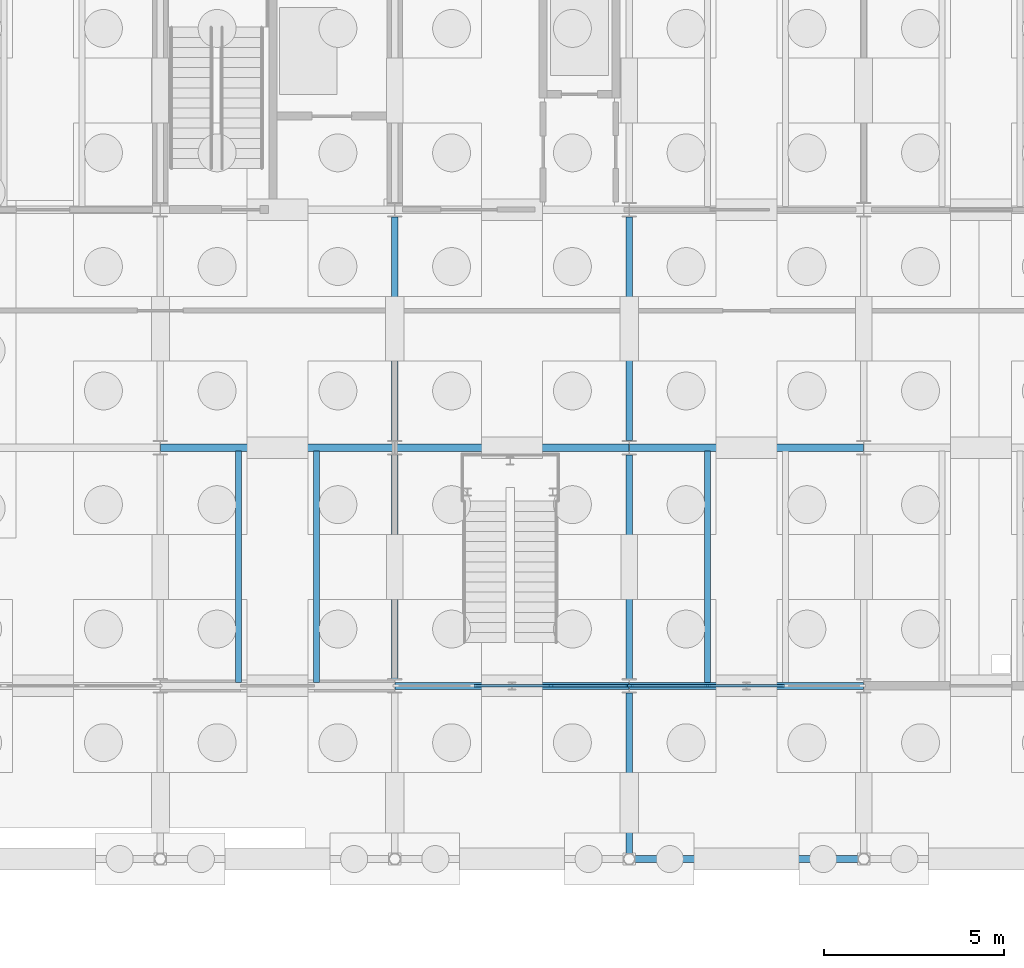
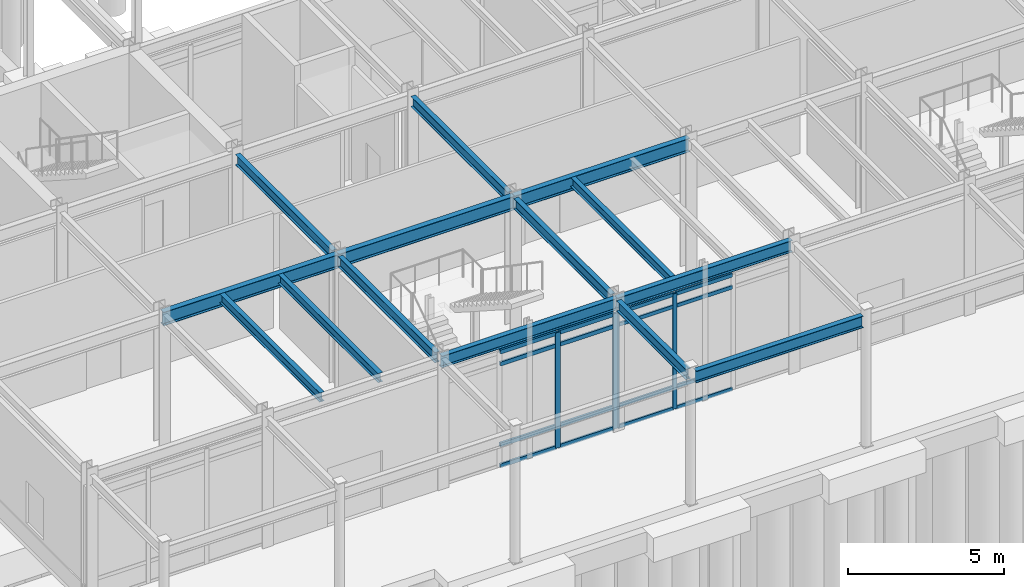
# One storey, part 36 of 82: 20 members, 14 beams, 2 elements without a shape of their own.
"""IFC4 building model written with IfcOpenShell, lengths in metres."""

from ifc_helpers import new_model, si_unit, direction, frame, origin, origin_2d, place, context, subcontext, project, spatial, rectangle, i_section, extrude, material, layer, layer_set, material_profile, profile_set, type_object, element, aggregate, save


model = new_model("IFC4")

# Units and contexts
model_context = context("Model", 3, precision=1e-05, world=origin(), true_north=direction((0.0, 1.0)))
body_context = subcontext(model_context, "Body", "Model", "MODEL_VIEW")
ifc_project = project(units=[si_unit("LENGTHUNIT", "METRE"), si_unit("AREAUNIT", "SQUARE_METRE"), si_unit("VOLUMEUNIT", "CUBIC_METRE"), si_unit("PLANEANGLEUNIT", "RADIAN"), si_unit("MASSUNIT", "GRAM", prefix="KILO")], contexts=[model_context])

# Site, building, storey
site_placement = place(None, origin())
site = spatial("IfcSite", under=ifc_project, at=site_placement, CompositionType="ELEMENT")
building_placement = place(site_placement, origin())
building = spatial("IfcBuilding", under=site, at=building_placement, Name="Trelmorton Wharf Fire Station", CompositionType="ELEMENT")
storey_placement = place(building_placement, origin())
storey = spatial("IfcBuildingStorey", under=building, at=storey_placement, Name="L00", CompositionType="ELEMENT", Elevation=0.0)

# Beams
ifc_material_1 = material(Name="Steel Grade 350", Category="steel")
ifc_material_profile_1 = material_profile(ifc_material_1, i_section(OverallWidth=0.177978515625, OverallDepth=0.406005859375, WebThickness=0.0078125, FlangeThickness=0.0126953125, FilletRadius=0.011474609375, at=origin_2d()), Name="410UB59.7")
ifc_profile_set_1 = profile_set([ifc_material_profile_1], Name="Steel Grade 350")
beam_type_1 = type_object("IfcBeamType", Name="BM_410UB60", PredefinedType="BEAM", material=ifc_profile_set_1)
for number, where, z_axis, x_axis, name in (
    (1, (117.0, 7.99609375, 4.927001953125), (0.0, 1.0, 0.0), (-1.0, 0.0, 0.0), "BM-L00-0330"),
    (2, (117.0, 14.595947265625, 4.927001953125), (0.0, 1.0, 0.0), (-1.0, 0.0, 0.0), "BM-L00-0331"),
):
    element("IfcBeam", number, at=place(storey_placement, frame(where, z_axis=z_axis, x_axis=x_axis)), inside=storey, type_object=beam_type_1, Name=name, PredefinedType="BEAM", context=body_context, shape_type="SweptSolid", body=[
        extrude(i_section(OverallWidth=0.177978515625, OverallDepth=0.406005859375, WebThickness=0.0078125, FlangeThickness=0.0126953125, FilletRadius=0.011474609375, at=origin_2d()), origin(), (0.0, 0.0, 1.0), 6.2080078125),
    ])
beam_1_placement = place(storey_placement, frame((123.5, 3.157958984375, 4.927001953125), z_axis=(0.0, 1.0, 0.0), x_axis=(-1.0, 0.0, 0.0)))
element("IfcBeam", 3, at=beam_1_placement, inside=storey, type_object=beam_type_1, Name="BM-L00-0343", PredefinedType="BEAM", context=body_context, shape_type="SweptSolid", body=[
    extrude(i_section(OverallWidth=0.177978515625, OverallDepth=0.406005859375, WebThickness=0.0078125, FlangeThickness=0.0126953125, FilletRadius=0.011474609375, at=origin_2d()), origin(), (0.0, 0.0, 1.0), 4.446044921875),
])
for number, where, z_axis, x_axis, name in (
    (4, (123.5, 7.99609375, 4.927001953125), (0.0, 1.0, 0.0), (-1.0, 0.0, 0.0), "BM-L00-0344"),
    (5, (123.5, 14.595947265625, 4.927001953125), (0.0, 1.0, 0.0), (-1.0, 0.0, 0.0), "BM-L00-0345"),
):
    element("IfcBeam", number, at=place(storey_placement, frame(where, z_axis=z_axis, x_axis=x_axis)), inside=storey, type_object=beam_type_1, Name=name, PredefinedType="BEAM", context=body_context, shape_type="SweptSolid", body=[
        extrude(i_section(OverallWidth=0.177978515625, OverallDepth=0.406005859375, WebThickness=0.0078125, FlangeThickness=0.0126953125, FilletRadius=0.011474609375, at=origin_2d()), origin(), (0.0, 0.0, 1.0), 6.2080078125),
    ])
ifc_material_profile_2 = material_profile(ifc_material_1, i_section(OverallWidth=0.208984375, OverallDepth=0.532958984375, WebThickness=0.01025390625, FlangeThickness=0.015625, FilletRadius=0.013916015625, at=origin_2d()), Name="530UB92.4")
ifc_profile_set_2 = profile_set([ifc_material_profile_2], Name="Steel Grade 350")
beam_type_2 = type_object("IfcBeamType", Name="BM_530UB92", PredefinedType="BEAM", material=ifc_profile_set_2)
for number, where, z_axis, x_axis, name in (
    (6, (110.508056640625, 14.39990234375, 4.863525390625), (1.0, 0.0, 0.0), (0.0, 1.0, 0.0), "BM-L00-0050"),
    (7, (117.008056640625, 14.39990234375, 4.863525390625), (1.0, 0.0, 0.0), (0.0, 1.0, 0.0), "BM-L00-0051"),
    (8, (123.508056640625, 14.39990234375, 4.863525390625), (1.0, 0.0, 0.0), (0.0, 1.0, 0.0), "BM-L00-0052"),
):
    element("IfcBeam", number, at=place(storey_placement, frame(where, z_axis=z_axis, x_axis=x_axis)), inside=storey, type_object=beam_type_2, Name=name, PredefinedType="BEAM", context=body_context, shape_type="SweptSolid", body=[
        extrude(i_section(OverallWidth=0.208984375, OverallDepth=0.532958984375, WebThickness=0.01025390625, FlangeThickness=0.015625, FilletRadius=0.013916015625, at=origin_2d()), origin(), (0.0, 0.0, 1.0), 6.48388671875),
    ])
ifc_material_2 = material(Name="Signal-red architectural steel Grade 350", Category="steel")
ifc_material_profile_3 = material_profile(ifc_material_2, i_section(OverallWidth=0.19091796875, OverallDepth=0.4599609375, WebThickness=0.010009765625, FlangeThickness=0.01611328125, FilletRadius=0.011474609375, at=origin_2d()), Name="460UB82.1")
ifc_profile_set_3 = profile_set([ifc_material_profile_3], Name="Signal-red architectural steel Grade 350")
beam_type_3 = type_object("IfcBeamType", Name="BM_RED_460UB82", PredefinedType="BEAM", material=ifc_profile_set_3)
beam_2_placement = place(storey_placement, frame((123.657958984375, 3.0, 4.89990234375), z_axis=(1.0, 0.0, 0.0), x_axis=(0.0, 1.0, 0.0)))
element("IfcBeam", 9, at=beam_2_placement, inside=storey, type_object=beam_type_3, Name="BM-L00-0018", PredefinedType="BEAM", context=body_context, shape_type="SweptSolid", body=[
    extrude(i_section(OverallWidth=0.19091796875, OverallDepth=0.4599609375, WebThickness=0.010009765625, FlangeThickness=0.01611328125, FilletRadius=0.011474609375, at=origin_2d()), origin(), (0.0, 0.0, 1.0), 6.18408203125),
])

# Curtain wall, members
ifc_material_3 = material(Name="Anodised aluminium AW-6063", Category="aluminium")
ifc_layer_1 = layer(ifc_material_3, 0.175048828125)
ifc_layer_set_1 = layer_set([ifc_layer_1], Name="Anodised aluminium AW-6063")
curtain_wall_type_1 = type_object("IfcCurtainWallType", Name="CW_CHIC_B", PredefinedType="USERDEFINED", material=ifc_layer_set_1)
curtain_wall_1_placement = place(storey_placement, origin())
curtain_wall_1 = element("IfcCurtainWall", 10, at=curtain_wall_1_placement, inside=storey, type_object=curtain_wall_type_1, Name="CW-V5-L00-031", ObjectType="CHICAGO BAY CURTAIN WALL", PredefinedType="USERDEFINED")
ifc_material_profile_4 = material_profile(ifc_material_3, rectangle(XDim=0.06494140625, YDim=0.159912109375, at=origin_2d()), Name="ALU-65x160")
ifc_profile_set_4 = profile_set([ifc_material_profile_4], Name="Anodised aluminium AW-6063")
member_type_1 = type_object("IfcMemberType", Name="CWM_65x160", PredefinedType="MULLION", material=ifc_profile_set_4)
member_1_placement = place(storey_placement, frame((125.668212890625, 7.800048828125, 0.0), z_axis=(0.0, 0.0, 1.0), x_axis=(0.0, -1.0, 0.0)))
member_1 = element("IfcMember", 11, at=member_1_placement, type_object=member_type_1, Name="CW2 mullion 3", PredefinedType="MULLION", context=body_context, shape_type="SweptSolid", body=[
    extrude(rectangle(XDim=0.06494140625, YDim=0.159912109375, at=origin_2d()), origin(), (0.0, 0.0, 1.0), 4.52001953125),
])
member_2_placement = place(storey_placement, frame((123.534912109375, 7.800048828125, 0.0), z_axis=(0.0, 0.0, 1.0), x_axis=(0.0, -1.0, 0.0)))
member_2 = element("IfcMember", 12, at=member_2_placement, type_object=member_type_1, Name="CW2 mullion 4", PredefinedType="MULLION", context=body_context, shape_type="SweptSolid", body=[
    extrude(rectangle(XDim=0.06494140625, YDim=0.159912109375, at=origin_2d()), origin(), (0.0, 0.0, 1.0), 4.52001953125),
])

ifc_layer_2 = layer(ifc_material_3, 0.159912109375)
ifc_layer_set_2 = layer_set([ifc_layer_2], Name="Anodised aluminium AW-6063")
curtain_wall_type_2 = type_object("IfcCurtainWallType", Name="CW_CHIC_A", PredefinedType="USERDEFINED", material=ifc_layer_set_2)
curtain_wall_2_placement = place(storey_placement, origin())
curtain_wall_2 = element("IfcCurtainWall", 13, at=curtain_wall_2_placement, inside=storey, type_object=curtain_wall_type_2, Name="CW-V5-L00-030", ObjectType="CHICAGO BAY CURTAIN WALL", PredefinedType="USERDEFINED")
ifc_material_profile_5 = material_profile(ifc_material_3, rectangle(XDim=0.074951171875, YDim=0.175048828125, at=origin_2d()), Name="ALU-75x175")
ifc_profile_set_5 = profile_set([ifc_material_profile_5], Name="Anodised aluminium AW-6063")
member_type_2 = type_object("IfcMemberType", Name="CWM_75x175", PredefinedType="MULLION", material=ifc_profile_set_5)
member_3_placement = place(storey_placement, frame((123.465087890625, 7.800048828125, 0.0), z_axis=(0.0, 0.0, 1.0), x_axis=(0.0, -1.0, 0.0)))
member_3 = element("IfcMember", 14, at=member_3_placement, type_object=member_type_2, Name="CW1 mullion 1", PredefinedType="MULLION", context=body_context, shape_type="SweptSolid", body=[
    extrude(rectangle(XDim=0.074951171875, YDim=0.175048828125, at=origin_2d()), origin(), (0.0, 0.0, 1.0), 4.52001953125),
])
member_4_placement = place(storey_placement, frame((121.331787109375, 7.800048828125, 0.0), z_axis=(0.0, 0.0, 1.0), x_axis=(0.0, -1.0, 0.0)))
member_4 = element("IfcMember", 15, at=member_4_placement, type_object=member_type_2, Name="CW1 mullion 2", PredefinedType="MULLION", context=body_context, shape_type="SweptSolid", body=[
    extrude(rectangle(XDim=0.074951171875, YDim=0.175048828125, at=origin_2d()), origin(), (0.0, 0.0, 1.0), 4.52001953125),
])

# Member
ifc_material_profile_6 = material_profile(ifc_material_3, rectangle(XDim=0.06494140625, YDim=0.139892578125, at=origin_2d()), Name="ALU-65x140")
ifc_profile_set_6 = profile_set([ifc_material_profile_6], Name="Anodised aluminium AW-6063")
member_type_3 = type_object("IfcMemberType", Name="CWT_65x140", PredefinedType="USERDEFINED", material=ifc_profile_set_6)
member_5_placement = place(storey_placement, frame((127.8017578125, 7.800048828125, 0.030029296875), z_axis=(-1.0, 0.0, 0.0), x_axis=(0.0, -1.0, 0.0)))
member_5 = element("IfcMember", 16, at=member_5_placement, type_object=member_type_3, Name="CW2 transom 2.1", ObjectType="TRANSOM", PredefinedType="USERDEFINED", context=body_context, shape_type="SweptSolid", body=[
    extrude(rectangle(XDim=0.06494140625, YDim=0.139892578125, at=origin_2d()), origin(), (0.0, 0.0, 1.0), 2.103515625),
])

member_6_placement = place(storey_placement, frame((127.8017578125, 7.800048828125, 0.85009765625), z_axis=(-1.0, 0.0, 0.0), x_axis=(0.0, -1.0, 0.0)))
member_6 = element("IfcMember", 17, at=member_6_placement, type_object=member_type_3, Name="CW2 transom 2.2", ObjectType="TRANSOM", PredefinedType="USERDEFINED", context=body_context, shape_type="SweptSolid", body=[
    extrude(rectangle(XDim=0.06494140625, YDim=0.139892578125, at=origin_2d()), origin(), (0.0, 0.0, 1.0), 2.103515625),
])

member_7_placement = place(storey_placement, frame((127.8017578125, 7.800048828125, 4.02001953125), z_axis=(-1.0, 0.0, 0.0), x_axis=(0.0, -1.0, 0.0)))
member_7 = element("IfcMember", 18, at=member_7_placement, type_object=member_type_3, Name="CW2 transom 2.3", ObjectType="TRANSOM", PredefinedType="USERDEFINED", context=body_context, shape_type="SweptSolid", body=[
    extrude(rectangle(XDim=0.06494140625, YDim=0.139892578125, at=origin_2d()), origin(), (0.0, 0.0, 1.0), 2.103515625),
])

member_8_placement = place(storey_placement, frame((127.8017578125, 7.800048828125, 4.489990234375), z_axis=(-1.0, 0.0, 0.0), x_axis=(0.0, -1.0, 0.0)))
member_8 = element("IfcMember", 19, at=member_8_placement, type_object=member_type_3, Name="CW2 transom 2.4", ObjectType="TRANSOM", PredefinedType="USERDEFINED", context=body_context, shape_type="SweptSolid", body=[
    extrude(rectangle(XDim=0.06494140625, YDim=0.139892578125, at=origin_2d()), origin(), (0.0, 0.0, 1.0), 2.103515625),
])

member_9_placement = place(storey_placement, frame((125.638427734375, 7.800048828125, 0.030029296875), z_axis=(-1.0, 0.0, 0.0), x_axis=(0.0, -1.0, 0.0)))
member_9 = element("IfcMember", 20, at=member_9_placement, type_object=member_type_3, Name="CW2 transom 3.1", ObjectType="TRANSOM", PredefinedType="USERDEFINED", context=body_context, shape_type="SweptSolid", body=[
    extrude(rectangle(XDim=0.06494140625, YDim=0.139892578125, at=origin_2d()), origin(), (0.0, 0.0, 1.0), 2.073486328125),
])

member_10_placement = place(storey_placement, frame((125.638427734375, 7.800048828125, 0.85009765625), z_axis=(-1.0, 0.0, 0.0), x_axis=(0.0, -1.0, 0.0)))
member_10 = element("IfcMember", 21, at=member_10_placement, type_object=member_type_3, Name="CW2 transom 3.2", ObjectType="TRANSOM", PredefinedType="USERDEFINED", context=body_context, shape_type="SweptSolid", body=[
    extrude(rectangle(XDim=0.06494140625, YDim=0.139892578125, at=origin_2d()), origin(), (0.0, 0.0, 1.0), 2.073486328125),
])

member_11_placement = place(storey_placement, frame((125.638427734375, 7.800048828125, 4.02001953125), z_axis=(-1.0, 0.0, 0.0), x_axis=(0.0, -1.0, 0.0)))
member_11 = element("IfcMember", 22, at=member_11_placement, type_object=member_type_3, Name="CW2 transom 3.3", ObjectType="TRANSOM", PredefinedType="USERDEFINED", context=body_context, shape_type="SweptSolid", body=[
    extrude(rectangle(XDim=0.06494140625, YDim=0.139892578125, at=origin_2d()), origin(), (0.0, 0.0, 1.0), 2.073486328125),
])

member_12_placement = place(storey_placement, frame((125.638427734375, 7.800048828125, 4.489990234375), z_axis=(-1.0, 0.0, 0.0), x_axis=(0.0, -1.0, 0.0)))
member_12 = element("IfcMember", 23, at=member_12_placement, type_object=member_type_3, Name="CW2 transom 3.4", ObjectType="TRANSOM", PredefinedType="USERDEFINED", context=body_context, shape_type="SweptSolid", body=[
    extrude(rectangle(XDim=0.06494140625, YDim=0.139892578125, at=origin_2d()), origin(), (0.0, 0.0, 1.0), 2.073486328125),
])

aggregate(curtain_wall_1, [member_1, member_2, member_5, member_6, member_7, member_8, member_9, member_10, member_11, member_12])

ifc_material_profile_7 = material_profile(ifc_material_3, rectangle(XDim=0.074951171875, YDim=0.155029296875, at=origin_2d()), Name="ALU-75x155")
ifc_profile_set_7 = profile_set([ifc_material_profile_7], Name="Anodised aluminium AW-6063")
member_type_4 = type_object("IfcMemberType", Name="CWT_75x155", PredefinedType="USERDEFINED", material=ifc_profile_set_7)
member_13_placement = place(storey_placement, frame((123.43505859375, 7.800048828125, 0.030029296875), z_axis=(-1.0, 0.0, 0.0), x_axis=(0.0, -1.0, 0.0)))
member_13 = element("IfcMember", 24, at=member_13_placement, type_object=member_type_4, Name="CW1 transom 1.1", ObjectType="TRANSOM", PredefinedType="USERDEFINED", context=body_context, shape_type="SweptSolid", body=[
    extrude(rectangle(XDim=0.074951171875, YDim=0.155029296875, at=origin_2d()), origin(), (0.0, 0.0, 1.0), 2.073486328125),
])

member_14_placement = place(storey_placement, frame((123.43505859375, 7.800048828125, 0.85009765625), z_axis=(-1.0, 0.0, 0.0), x_axis=(0.0, -1.0, 0.0)))
member_14 = element("IfcMember", 25, at=member_14_placement, type_object=member_type_4, Name="CW1 transom 1.2", ObjectType="TRANSOM", PredefinedType="USERDEFINED", context=body_context, shape_type="SweptSolid", body=[
    extrude(rectangle(XDim=0.074951171875, YDim=0.155029296875, at=origin_2d()), origin(), (0.0, 0.0, 1.0), 2.073486328125),
])

member_15_placement = place(storey_placement, frame((123.43505859375, 7.800048828125, 4.02001953125), z_axis=(-1.0, 0.0, 0.0), x_axis=(0.0, -1.0, 0.0)))
member_15 = element("IfcMember", 26, at=member_15_placement, type_object=member_type_4, Name="CW1 transom 1.3", ObjectType="TRANSOM", PredefinedType="USERDEFINED", context=body_context, shape_type="SweptSolid", body=[
    extrude(rectangle(XDim=0.074951171875, YDim=0.155029296875, at=origin_2d()), origin(), (0.0, 0.0, 1.0), 2.073486328125),
])

member_16_placement = place(storey_placement, frame((123.43505859375, 7.800048828125, 4.489990234375), z_axis=(-1.0, 0.0, 0.0), x_axis=(0.0, -1.0, 0.0)))
member_16 = element("IfcMember", 27, at=member_16_placement, type_object=member_type_4, Name="CW1 transom 1.4", ObjectType="TRANSOM", PredefinedType="USERDEFINED", context=body_context, shape_type="SweptSolid", body=[
    extrude(rectangle(XDim=0.074951171875, YDim=0.155029296875, at=origin_2d()), origin(), (0.0, 0.0, 1.0), 2.073486328125),
])

member_17_placement = place(storey_placement, frame((121.3017578125, 7.800048828125, 0.030029296875), z_axis=(-1.0, 0.0, 0.0), x_axis=(0.0, -1.0, 0.0)))
member_17 = element("IfcMember", 28, at=member_17_placement, type_object=member_type_4, Name="CW1 transom 2.1", ObjectType="TRANSOM", PredefinedType="USERDEFINED", context=body_context, shape_type="SweptSolid", body=[
    extrude(rectangle(XDim=0.074951171875, YDim=0.155029296875, at=origin_2d()), origin(), (0.0, 0.0, 1.0), 2.103515625),
])

member_18_placement = place(storey_placement, frame((121.3017578125, 7.800048828125, 0.85009765625), z_axis=(-1.0, 0.0, 0.0), x_axis=(0.0, -1.0, 0.0)))
member_18 = element("IfcMember", 29, at=member_18_placement, type_object=member_type_4, Name="CW1 transom 2.2", ObjectType="TRANSOM", PredefinedType="USERDEFINED", context=body_context, shape_type="SweptSolid", body=[
    extrude(rectangle(XDim=0.074951171875, YDim=0.155029296875, at=origin_2d()), origin(), (0.0, 0.0, 1.0), 2.103515625),
])

member_19_placement = place(storey_placement, frame((121.3017578125, 7.800048828125, 4.02001953125), z_axis=(-1.0, 0.0, 0.0), x_axis=(0.0, -1.0, 0.0)))
member_19 = element("IfcMember", 30, at=member_19_placement, type_object=member_type_4, Name="CW1 transom 2.3", ObjectType="TRANSOM", PredefinedType="USERDEFINED", context=body_context, shape_type="SweptSolid", body=[
    extrude(rectangle(XDim=0.074951171875, YDim=0.155029296875, at=origin_2d()), origin(), (0.0, 0.0, 1.0), 2.103515625),
])

member_20_placement = place(storey_placement, frame((121.3017578125, 7.800048828125, 4.489990234375), z_axis=(-1.0, 0.0, 0.0), x_axis=(0.0, -1.0, 0.0)))
member_20 = element("IfcMember", 31, at=member_20_placement, type_object=member_type_4, Name="CW1 transom 2.4", ObjectType="TRANSOM", PredefinedType="USERDEFINED", context=body_context, shape_type="SweptSolid", body=[
    extrude(rectangle(XDim=0.074951171875, YDim=0.155029296875, at=origin_2d()), origin(), (0.0, 0.0, 1.0), 2.103515625),
])

aggregate(curtain_wall_2, [member_3, member_4, member_13, member_14, member_15, member_16, member_17, member_18, member_19, member_20])

# Beams
ifc_material_profile_8 = material_profile(ifc_material_1, i_section(OverallWidth=0.172119140625, OverallDepth=0.35888671875, WebThickness=0.008056640625, FlangeThickness=0.012939453125, FilletRadius=0.011474609375, at=origin_2d()), Name="360UB56.7")
ifc_profile_set_8 = profile_set([ifc_material_profile_8], Name="Steel Grade 350")
beam_type_4 = type_object("IfcBeamType", Name="JS_360UB57", PredefinedType="JOIST", material=ifc_profile_set_8)
for number, where, z_axis, x_axis, name in (
    (32, (112.666748046875, 7.889892578125, 4.950439453125), (0.0, 1.0, 0.0), (-1.0, 0.0, 0.0), "JS-L00-0079"),
    (33, (114.833251953125, 7.889892578125, 4.950439453125), (0.0, 1.0, 0.0), (-1.0, 0.0, 0.0), "JS-L00-0080"),
    (34, (125.666748046875, 7.889892578125, 4.950439453125), (0.0, 1.0, 0.0), (-1.0, 0.0, 0.0), "JS-L00-0085"),
):
    element("IfcBeam", number, at=place(storey_placement, frame(where, z_axis=z_axis, x_axis=x_axis)), inside=storey, type_object=beam_type_4, Name=name, PredefinedType="JOIST", context=body_context, shape_type="SweptSolid", body=[
        extrude(i_section(OverallWidth=0.172119140625, OverallDepth=0.35888671875, WebThickness=0.008056640625, FlangeThickness=0.012939453125, FilletRadius=0.011474609375, at=origin_2d()), origin(), (0.0, 0.0, 1.0), 6.420166015625),
    ])
ifc_material_profile_9 = material_profile(ifc_material_1, i_section(OverallWidth=0.18994140625, OverallDepth=0.45703125, WebThickness=0.009033203125, FlangeThickness=0.014404296875, FilletRadius=0.011474609375, at=origin_2d()), Name="460UB74.6")
ifc_profile_set_9 = profile_set([ifc_material_profile_9], Name="Steel Grade 350")
beam_type_5 = type_object("IfcBeamType", Name="SP_460UB75", PredefinedType="SPANDREL", material=ifc_profile_set_9)
for number, where, z_axis, x_axis, name in (
    (35, (117.008056640625, 7.800048828125, 4.901611328125), (1.0, 0.0, 0.0), (0.0, 1.0, 0.0), "BM-L00-0040"),
    (36, (123.508056640625, 7.800048828125, 4.901611328125), (1.0, 0.0, 0.0), (0.0, 1.0, 0.0), "BM-L00-0041"),
):
    element("IfcBeam", number, at=place(storey_placement, frame(where, z_axis=z_axis, x_axis=x_axis)), inside=storey, type_object=beam_type_5, Name=name, PredefinedType="SPANDREL", context=body_context, shape_type="SweptSolid", body=[
        extrude(i_section(OverallWidth=0.18994140625, OverallDepth=0.45703125, WebThickness=0.009033203125, FlangeThickness=0.014404296875, FilletRadius=0.011474609375, at=origin_2d()), origin(), (0.0, 0.0, 1.0), 6.48388671875),
    ])

save(model, "model.ifc")
